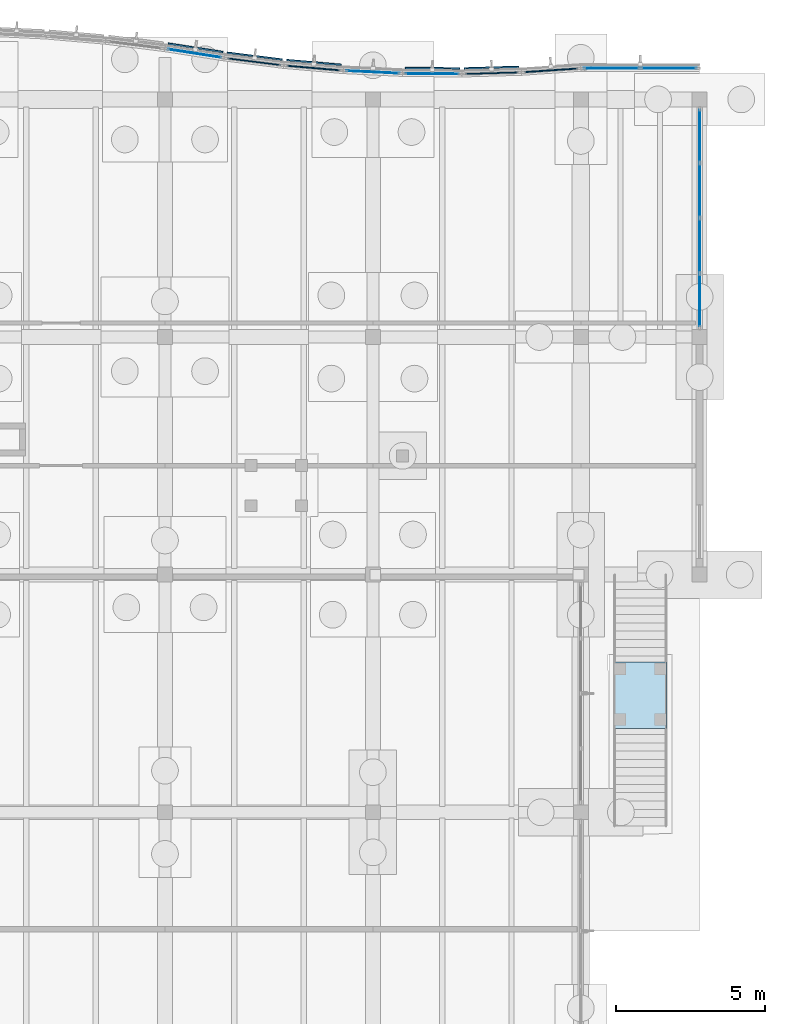
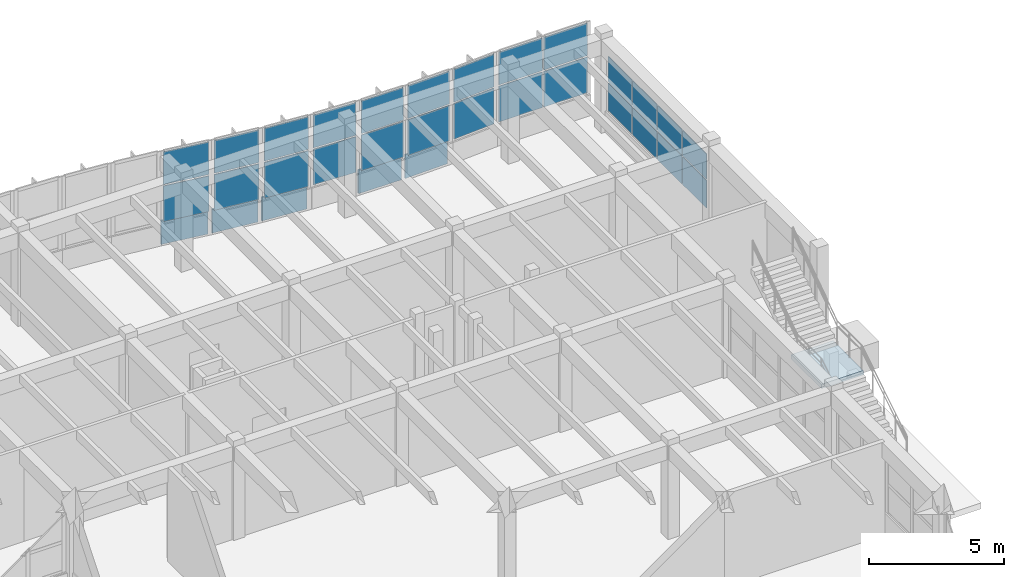
# One storey, part 60 of 99: 31 plates, 1 slab, 10 elements without a shape of their own.
"""IFC4 building model written with IfcOpenShell, lengths in metres."""

from ifc_helpers import new_model, si_unit, direction, frame, origin, origin_2d, place, context, subcontext, project, spatial, polyline, rectangle, outline, extrude, material, layer, layer_set, type_object, element, aggregate, save


model = new_model("IFC4")

# Units and contexts
model_context = context("Model", 3, precision=1e-05, world=origin(), true_north=direction((0.0, 1.0)))
body_context = subcontext(model_context, "Body", "Model", "MODEL_VIEW")
ifc_project = project(units=[si_unit("LENGTHUNIT", "METRE"), si_unit("AREAUNIT", "SQUARE_METRE"), si_unit("VOLUMEUNIT", "CUBIC_METRE"), si_unit("PLANEANGLEUNIT", "RADIAN"), si_unit("MASSUNIT", "GRAM", prefix="KILO")], contexts=[model_context])

# Site, building, storey
site_placement = place(None, origin())
site = spatial("IfcSite", under=ifc_project, at=site_placement, CompositionType="ELEMENT")
building_placement = place(site_placement, origin())
building = spatial("IfcBuilding", under=site, at=building_placement, Name="Tonlespit Floodbar School", CompositionType="ELEMENT")
storey_placement = place(building_placement, origin())
storey = spatial("IfcBuildingStorey", under=building, at=storey_placement, Name="L00", CompositionType="ELEMENT", Elevation=0.0)

# Curtain wall, plates
ifc_material_1 = material(Name="Anodised Aluminium", Category="aluminium")
ifc_layer_1 = layer(ifc_material_1, 0.159912109375)
ifc_layer_set_1 = layer_set([ifc_layer_1], Name="Anodised Aluminium")
curtain_wall_type_1 = type_object("IfcCurtainWallType", Name="CurtainWall_1900x3300", PredefinedType="NOTDEFINED", material=ifc_layer_set_1)
curtain_wall_1_placement = place(storey_placement, origin())
curtain_wall_1 = element("IfcCurtainWall", 1, at=curtain_wall_1_placement, inside=storey, type_object=curtain_wall_type_1, Name="L00 unitised curtain wall 0365", PredefinedType="NOTDEFINED")
ifc_material_2 = material(Name="Laminated Low-E Glass", Category="glass")
ifc_layer_2 = layer(ifc_material_2, 0.028076171875)
ifc_layer_set_2 = layer_set([ifc_layer_2], Name="Laminated Low-E Glass")
plate_type_1 = type_object("IfcPlateType", Name="CW_Panel_Glaz_28", PredefinedType="CURTAIN_PANEL", material=ifc_layer_set_2)
plate_1_placement = place(storey_placement, frame((169.0, 120.92041015625, 1.014892578125), z_axis=(0.0, 0.0, 1.0), x_axis=(0.998841500616, -0.048121270216, 0.0)))
plate_1 = element("IfcPlate", 2, at=plate_1_placement, type_object=plate_type_1, Name="CW-02 panel 1.1", PredefinedType="CURTAIN_PANEL", context=body_context, shape_type="SweptSolid", body=[
    extrude(rectangle(XDim=1.792236328125, YDim=0.028076171875, at=origin_2d()), origin(), (0.0, 0.0, 1.0), 1.61328125),
])
plate_2_placement = place(storey_placement, frame((169.0, 120.92041015625, 2.693359375), z_axis=(0.0, 0.0, 1.0), x_axis=(0.998841500616, -0.048121270216, 0.0)))
plate_2 = element("IfcPlate", 3, at=plate_2_placement, type_object=plate_type_1, Name="CW-02 panel 1.2", PredefinedType="CURTAIN_PANEL", context=body_context, shape_type="SweptSolid", body=[
    extrude(rectangle(XDim=1.792236328125, YDim=0.028076171875, at=origin_2d()), origin(), (0.0, 0.0, 1.0), 1.481689453125),
])
aggregate(curtain_wall_1, [plate_1, plate_2])

ifc_layer_3 = layer(ifc_material_1, 0.159912109375)
ifc_layer_set_3 = layer_set([ifc_layer_3], Name="Anodised Aluminium")
curtain_wall_type_2 = type_object("IfcCurtainWallType", Name="CurtainWall_3900x3300", PredefinedType="NOTDEFINED", material=ifc_layer_set_3)
curtain_wall_2_placement = place(storey_placement, origin())
curtain_wall_2 = element("IfcCurtainWall", 4, at=curtain_wall_2_placement, inside=storey, type_object=curtain_wall_type_2, Name="L00 unitised curtain wall 0369", PredefinedType="NOTDEFINED")
plate_3_placement = place(storey_placement, frame((177.0361328125, 121.045654296875, 1.014892578125), z_axis=(0.0, 0.0, 1.0), x_axis=(1.0, 0.0, 0.0)))
plate_3 = element("IfcPlate", 5, at=plate_3_placement, type_object=plate_type_1, Name="CW-58 panel 1.1", PredefinedType="CURTAIN_PANEL", context=body_context, shape_type="SweptSolid", body=[
    extrude(rectangle(XDim=1.862548828125, YDim=0.028076171875, at=origin_2d()), origin(), (0.0, 0.0, 1.0), 1.61328125),
])
plate_4_placement = place(storey_placement, frame((177.0361328125, 121.045654296875, 2.693359375), z_axis=(0.0, 0.0, 1.0), x_axis=(1.0, 0.0, 0.0)))
plate_4 = element("IfcPlate", 6, at=plate_4_placement, type_object=plate_type_1, Name="CW-58 panel 1.2", PredefinedType="CURTAIN_PANEL", context=body_context, shape_type="SweptSolid", body=[
    extrude(rectangle(XDim=1.862548828125, YDim=0.028076171875, at=origin_2d()), origin(), (0.0, 0.0, 1.0), 1.481689453125),
])
plate_5_placement = place(storey_placement, frame((178.9638671875, 121.045654296875, 1.014892578125), z_axis=(0.0, 0.0, 1.0), x_axis=(1.0, 0.0, 0.0)))
plate_5 = element("IfcPlate", 7, at=plate_5_placement, type_object=plate_type_1, Name="CW-58 panel 2.1", PredefinedType="CURTAIN_PANEL", context=body_context, shape_type="SweptSolid", body=[
    extrude(rectangle(XDim=1.862548828125, YDim=0.028076171875, at=origin_2d()), origin(), (0.0, 0.0, 1.0), 1.61328125),
])
plate_6_placement = place(storey_placement, frame((178.9638671875, 121.045654296875, 2.693359375), z_axis=(0.0, 0.0, 1.0), x_axis=(1.0, 0.0, 0.0)))
plate_6 = element("IfcPlate", 8, at=plate_6_placement, type_object=plate_type_1, Name="CW-58 panel 2.2", PredefinedType="CURTAIN_PANEL", context=body_context, shape_type="SweptSolid", body=[
    extrude(rectangle(XDim=1.862548828125, YDim=0.028076171875, at=origin_2d()), origin(), (0.0, 0.0, 1.0), 1.481689453125),
])
aggregate(curtain_wall_2, [plate_3, plate_4, plate_5, plate_6])

ifc_layer_4 = layer(ifc_material_1, 0.159912109375)
ifc_layer_set_4 = layer_set([ifc_layer_4], Name="Anodised Aluminium")
curtain_wall_type_3 = type_object("IfcCurtainWallType", Name="CurtainWall_1950x3300", PredefinedType="NOTDEFINED", material=ifc_layer_set_4)
curtain_wall_3_placement = place(storey_placement, origin())
curtain_wall_3 = element("IfcCurtainWall", 9, at=curtain_wall_3_placement, inside=storey, type_object=curtain_wall_type_3, Name="L00 unitised curtain wall 0362", PredefinedType="NOTDEFINED")
ifc_layer_5 = layer(ifc_material_2, 0.031982421875)
ifc_layer_set_5 = layer_set([ifc_layer_5], Name="Laminated Low-E Glass")
plate_type_2 = type_object("IfcPlateType", Name="CW_Panel_Glaz_32", PredefinedType="CURTAIN_PANEL", material=ifc_layer_set_5)
plate_7_placement = place(storey_placement, frame((163.0, 121.550048828125, 1.014892578125), z_axis=(0.0, 0.0, 1.0), x_axis=(0.988102576465, -0.153796288585, 0.0)))
plate_7 = element("IfcPlate", 10, at=plate_7_placement, type_object=plate_type_2, Name="CW-01 panel 1.1", PredefinedType="CURTAIN_PANEL", context=body_context, shape_type="SweptSolid", body=[
    extrude(rectangle(XDim=1.814208984375, YDim=0.031982421875, at=origin_2d()), origin(), (0.0, 0.0, 1.0), 1.61328125),
])
plate_8_placement = place(storey_placement, frame((163.0, 121.550048828125, 2.693359375), z_axis=(0.0, 0.0, 1.0), x_axis=(0.988102576465, -0.153796288585, 0.0)))
plate_8 = element("IfcPlate", 11, at=plate_8_placement, type_object=plate_type_2, Name="CW-01 panel 1.2", PredefinedType="CURTAIN_PANEL", context=body_context, shape_type="SweptSolid", body=[
    extrude(rectangle(XDim=1.814208984375, YDim=0.031982421875, at=origin_2d()), origin(), (0.0, 0.0, 1.0), 1.481689453125),
])
aggregate(curtain_wall_3, [plate_7, plate_8])

curtain_wall_4_placement = place(storey_placement, origin())
curtain_wall_4 = element("IfcCurtainWall", 12, at=curtain_wall_4_placement, inside=storey, type_object=curtain_wall_type_1, Name="L00 unitised curtain wall 0366", PredefinedType="NOTDEFINED")
plate_9_placement = place(storey_placement, frame((171.0, 120.862548828125, 1.014892578125), z_axis=(0.0, 0.0, 1.0), x_axis=(0.999954083024, -0.009582893292, 0.0)))
plate_9 = element("IfcPlate", 13, at=plate_9_placement, type_object=plate_type_2, Name="CW-02 panel 1.1", PredefinedType="CURTAIN_PANEL", context=body_context, shape_type="SweptSolid", body=[
    extrude(rectangle(XDim=1.7900390625, YDim=0.031982421875, at=origin_2d()), origin(), (0.0, 0.0, 1.0), 1.61328125),
])
plate_10_placement = place(storey_placement, frame((171.0, 120.862548828125, 2.693359375), z_axis=(0.0, 0.0, 1.0), x_axis=(0.999954083024, -0.009582893292, 0.0)))
plate_10 = element("IfcPlate", 14, at=plate_10_placement, type_object=plate_type_2, Name="CW-02 panel 1.2", PredefinedType="CURTAIN_PANEL", context=body_context, shape_type="SweptSolid", body=[
    extrude(rectangle(XDim=1.7900390625, YDim=0.031982421875, at=origin_2d()), origin(), (0.0, 0.0, 1.0), 1.481689453125),
])
aggregate(curtain_wall_4, [plate_9, plate_10])

ifc_layer_6 = layer(ifc_material_1, 0.159912109375)
ifc_layer_set_6 = layer_set([ifc_layer_6], Name="Anodised Aluminium")
curtain_wall_type_4 = type_object("IfcCurtainWallType", Name="CurtainWall_7400x2600", PredefinedType="NOTDEFINED", material=ifc_layer_set_6)
curtain_wall_5_placement = place(storey_placement, origin())
curtain_wall_5 = element("IfcCurtainWall", 15, at=curtain_wall_5_placement, inside=storey, type_object=curtain_wall_type_4, Name="L00 unitised curtain wall 0370", PredefinedType="NOTDEFINED")
plate_11_placement = place(storey_placement, frame((180.0, 118.766357421875, 1.01513671875), z_axis=(0.0, 0.0, 1.0), x_axis=(0.0, -1.0, 0.0)))
plate_11 = element("IfcPlate", 16, at=plate_11_placement, type_object=plate_type_2, Name="CW-52 panel 1.1", PredefinedType="CURTAIN_PANEL", context=body_context, shape_type="SweptSolid", body=[
    extrude(rectangle(XDim=1.757568359375, YDim=0.031982421875, at=origin_2d()), origin(), (0.0, 0.0, 1.0), 1.249267578125),
])
plate_12_placement = place(storey_placement, frame((180.0, 118.766357421875, 2.3291015625), z_axis=(0.0, 0.0, 1.0), x_axis=(0.0, -1.0, 0.0)))
plate_12 = element("IfcPlate", 17, at=plate_12_placement, type_object=plate_type_2, Name="CW-52 panel 1.2", PredefinedType="CURTAIN_PANEL", context=body_context, shape_type="SweptSolid", body=[
    extrude(rectangle(XDim=1.757568359375, YDim=0.031982421875, at=origin_2d()), origin(), (0.0, 0.0, 1.0), 1.145751953125),
])
plate_13_placement = place(storey_placement, frame((180.0, 116.927490234375, 1.01513671875), z_axis=(0.0, 0.0, 1.0), x_axis=(0.0, -1.0, 0.0)))
plate_13 = element("IfcPlate", 18, at=plate_13_placement, type_object=plate_type_2, Name="CW-52 panel 2.1", PredefinedType="CURTAIN_PANEL", context=body_context, shape_type="SweptSolid", body=[
    extrude(rectangle(XDim=1.7900390625, YDim=0.031982421875, at=origin_2d()), origin(), (0.0, 0.0, 1.0), 1.249267578125),
])
plate_14_placement = place(storey_placement, frame((180.0, 116.927490234375, 2.3291015625), z_axis=(0.0, 0.0, 1.0), x_axis=(0.0, -1.0, 0.0)))
plate_14 = element("IfcPlate", 19, at=plate_14_placement, type_object=plate_type_2, Name="CW-52 panel 2.2", PredefinedType="CURTAIN_PANEL", context=body_context, shape_type="SweptSolid", body=[
    extrude(rectangle(XDim=1.7900390625, YDim=0.031982421875, at=origin_2d()), origin(), (0.0, 0.0, 1.0), 1.145751953125),
])
plate_15_placement = place(storey_placement, frame((180.0, 115.072509765625, 1.01513671875), z_axis=(0.0, 0.0, 1.0), x_axis=(0.0, -1.0, 0.0)))
plate_15 = element("IfcPlate", 20, at=plate_15_placement, type_object=plate_type_2, Name="CW-52 panel 3.1", PredefinedType="CURTAIN_PANEL", context=body_context, shape_type="SweptSolid", body=[
    extrude(rectangle(XDim=1.7900390625, YDim=0.031982421875, at=origin_2d()), origin(), (0.0, 0.0, 1.0), 1.249267578125),
])
plate_16_placement = place(storey_placement, frame((180.0, 115.072509765625, 2.3291015625), z_axis=(0.0, 0.0, 1.0), x_axis=(0.0, -1.0, 0.0)))
plate_16 = element("IfcPlate", 21, at=plate_16_placement, type_object=plate_type_2, Name="CW-52 panel 3.2", PredefinedType="CURTAIN_PANEL", context=body_context, shape_type="SweptSolid", body=[
    extrude(rectangle(XDim=1.7900390625, YDim=0.031982421875, at=origin_2d()), origin(), (0.0, 0.0, 1.0), 1.145751953125),
])
plate_17_placement = place(storey_placement, frame((180.0, 113.233642578125, 1.01513671875), z_axis=(0.0, 0.0, 1.0), x_axis=(0.0, -1.0, 0.0)))
plate_17 = element("IfcPlate", 22, at=plate_17_placement, type_object=plate_type_2, Name="CW-52 panel 4.1", PredefinedType="CURTAIN_PANEL", context=body_context, shape_type="SweptSolid", body=[
    extrude(rectangle(XDim=1.757568359375, YDim=0.031982421875, at=origin_2d()), origin(), (0.0, 0.0, 1.0), 1.249267578125),
])
plate_18_placement = place(storey_placement, frame((180.0, 113.233642578125, 2.3291015625), z_axis=(0.0, 0.0, 1.0), x_axis=(0.0, -1.0, 0.0)))
plate_18 = element("IfcPlate", 23, at=plate_18_placement, type_object=plate_type_2, Name="CW-52 panel 4.2", PredefinedType="CURTAIN_PANEL", context=body_context, shape_type="SweptSolid", body=[
    extrude(rectangle(XDim=1.757568359375, YDim=0.031982421875, at=origin_2d()), origin(), (0.0, 0.0, 1.0), 1.145751953125),
])
aggregate(curtain_wall_5, [plate_11, plate_12, plate_13, plate_14, plate_15, plate_16, plate_17, plate_18])

curtain_wall_6_placement = place(storey_placement, origin())
curtain_wall_6 = element("IfcCurtainWall", 24, at=curtain_wall_6_placement, inside=storey, type_object=curtain_wall_type_3, Name="L00 unitised curtain wall 0363", PredefinedType="NOTDEFINED")
ifc_layer_7 = layer(ifc_material_2, 0.035888671875)
ifc_layer_set_7 = layer_set([ifc_layer_7], Name="Laminated Low-E Glass")
plate_type_3 = type_object("IfcPlateType", Name="CW_Panel_Glaz_36", PredefinedType="CURTAIN_PANEL", material=ifc_layer_set_7)
plate_19_placement = place(storey_placement, frame((165.0, 121.268310546875, 1.014892578125), z_axis=(0.0, 0.0, 1.0), x_axis=(0.992155002499, -0.125013803299, 0.0)))
plate_19 = element("IfcPlate", 25, at=plate_19_placement, type_object=plate_type_3, Name="CW-01 panel 1.1", PredefinedType="CURTAIN_PANEL", context=body_context, shape_type="SweptSolid", body=[
    extrude(rectangle(XDim=1.805908203125, YDim=0.035888671875, at=origin_2d()), origin(), (0.0, 0.0, 1.0), 1.61328125),
])
plate_20_placement = place(storey_placement, frame((165.0, 121.268310546875, 2.693359375), z_axis=(0.0, 0.0, 1.0), x_axis=(0.992155002499, -0.125013803299, 0.0)))
plate_20 = element("IfcPlate", 26, at=plate_20_placement, type_object=plate_type_3, Name="CW-01 panel 1.2", PredefinedType="CURTAIN_PANEL", context=body_context, shape_type="SweptSolid", body=[
    extrude(rectangle(XDim=1.805908203125, YDim=0.035888671875, at=origin_2d()), origin(), (0.0, 0.0, 1.0), 1.481689453125),
])
aggregate(curtain_wall_6, [plate_19, plate_20])

curtain_wall_7_placement = place(storey_placement, origin())
curtain_wall_7 = element("IfcCurtainWall", 27, at=curtain_wall_7_placement, inside=storey, type_object=curtain_wall_type_1, Name="L00 unitised curtain wall 0367", PredefinedType="NOTDEFINED")
plate_21_placement = place(storey_placement, frame((173.0, 120.8818359375, 1.014892578125), z_axis=(0.0, 0.0, 1.0), x_axis=(0.999585477883, 0.028790144226, 0.0)))
plate_21 = element("IfcPlate", 28, at=plate_21_placement, type_object=plate_type_3, Name="CW-02 panel 1.1", PredefinedType="CURTAIN_PANEL", context=body_context, shape_type="SweptSolid", body=[
    extrude(rectangle(XDim=1.790771484375, YDim=0.035888671875, at=origin_2d()), origin(), (0.0, 0.0, 1.0), 1.61328125),
])
plate_22_placement = place(storey_placement, frame((173.0, 120.8818359375, 2.693359375), z_axis=(0.0, 0.0, 1.0), x_axis=(0.999585477883, 0.028790144226, 0.0)))
plate_22 = element("IfcPlate", 29, at=plate_22_placement, type_object=plate_type_3, Name="CW-02 panel 1.2", PredefinedType="CURTAIN_PANEL", context=body_context, shape_type="SweptSolid", body=[
    extrude(rectangle(XDim=1.790771484375, YDim=0.035888671875, at=origin_2d()), origin(), (0.0, 0.0, 1.0), 1.481689453125),
])
aggregate(curtain_wall_7, [plate_21, plate_22])

curtain_wall_8_placement = place(storey_placement, origin())
curtain_wall_8 = element("IfcCurtainWall", 30, at=curtain_wall_8_placement, inside=storey, type_object=curtain_wall_type_3, Name="L00 unitised curtain wall 0364", PredefinedType="NOTDEFINED")
ifc_layer_8 = layer(ifc_material_2, 0.0419921875)
ifc_layer_set_8 = layer_set([ifc_layer_8], Name="Laminated Low-E Glass")
plate_type_4 = type_object("IfcPlateType", Name="CW_Panel_Glaz_42", PredefinedType="CURTAIN_PANEL", material=ifc_layer_set_8)
plate_23_placement = place(storey_placement, frame((167.0, 121.055419921875, 1.014892578125), z_axis=(0.0, 0.0, 1.0), x_axis=(0.996249148412, -0.086531117454, 0.0)))
plate_23 = element("IfcPlate", 31, at=plate_23_placement, type_object=plate_type_4, Name="CW-01 panel 1.1", PredefinedType="CURTAIN_PANEL", context=body_context, shape_type="SweptSolid", body=[
    extrude(rectangle(XDim=1.797607421875, YDim=0.0419921875, at=origin_2d()), origin(), (0.0, 0.0, 1.0), 1.61328125),
])
plate_24_placement = place(storey_placement, frame((167.0, 121.055419921875, 2.693359375), z_axis=(0.0, 0.0, 1.0), x_axis=(0.996249148412, -0.086531117454, 0.0)))
plate_24 = element("IfcPlate", 32, at=plate_24_placement, type_object=plate_type_4, Name="CW-01 panel 1.2", PredefinedType="CURTAIN_PANEL", context=body_context, shape_type="SweptSolid", body=[
    extrude(rectangle(XDim=1.797607421875, YDim=0.0419921875, at=origin_2d()), origin(), (0.0, 0.0, 1.0), 1.481689453125),
])
aggregate(curtain_wall_8, [plate_23, plate_24])

curtain_wall_9_placement = place(storey_placement, origin())
curtain_wall_9 = element("IfcCurtainWall", 33, at=curtain_wall_9_placement, inside=storey, type_object=curtain_wall_type_1, Name="L00 unitised curtain wall 0368", PredefinedType="NOTDEFINED")
plate_25_placement = place(storey_placement, frame((175.0, 120.978271484375, 1.014892578125), z_axis=(0.0, 0.0, 1.0), x_axis=(0.99773010165, 0.067339767311, 0.0)))
plate_25 = element("IfcPlate", 34, at=plate_25_placement, type_object=plate_type_4, Name="CW-02 panel 1.1", PredefinedType="CURTAIN_PANEL", context=body_context, shape_type="SweptSolid", body=[
    extrude(rectangle(XDim=1.794677734375, YDim=0.0419921875, at=origin_2d()), origin(), (0.0, 0.0, 1.0), 1.61328125),
])
plate_26_placement = place(storey_placement, frame((175.0, 120.978271484375, 2.693359375), z_axis=(0.0, 0.0, 1.0), x_axis=(0.99773010165, 0.067339767311, 0.0)))
plate_26 = element("IfcPlate", 35, at=plate_26_placement, type_object=plate_type_4, Name="CW-02 panel 1.2", PredefinedType="CURTAIN_PANEL", context=body_context, shape_type="SweptSolid", body=[
    extrude(rectangle(XDim=1.794677734375, YDim=0.0419921875, at=origin_2d()), origin(), (0.0, 0.0, 1.0), 1.481689453125),
])
aggregate(curtain_wall_9, [plate_25, plate_26])

# Plates
ifc_material_3 = material(Name="White Architectural Aluminium", Category="aluminium")
ifc_layer_9 = layer(ifc_material_3, 0.06494140625)
ifc_layer_set_9 = layer_set([ifc_layer_9], Name="White Architectural Aluminium")
plate_type_5 = type_object("IfcPlateType", Name="FacadeRibbon_White_65", PredefinedType="SHEET", material=ifc_layer_set_9)
plate_27_placement = place(storey_placement, frame((163.028076171875, 121.729736328125, -0.1201171875), z_axis=(0.0, 0.0, 1.0), x_axis=(0.988094768361, -0.153846445322, 0.0)))
element("IfcPlate", 36, at=plate_27_placement, inside=storey, type_object=plate_type_5, Name="L00 flowing white street spandrel ribbon 0612", PredefinedType="SHEET", context=body_context, shape_type="SweptSolid", body=[
    extrude(rectangle(XDim=1.864013671875, YDim=0.06494140625, at=origin_2d()), origin(), (0.0, 0.0, 1.0), 1.070068359375),
])
plate_28_placement = place(storey_placement, frame((165.022705078125, 121.448974609375, -0.1201171875), z_axis=(0.0, 0.0, 1.0), x_axis=(0.99215533612, -0.125011155539, 0.0)))
element("IfcPlate", 37, at=plate_28_placement, inside=storey, type_object=plate_type_5, Name="L00 flowing white street spandrel ribbon 0613", PredefinedType="SHEET", context=body_context, shape_type="SweptSolid", body=[
    extrude(rectangle(XDim=1.855712890625, YDim=0.06494140625, at=origin_2d()), origin(), (0.0, 0.0, 1.0), 1.070068359375),
])
plate_29_placement = place(storey_placement, frame((167.015869140625, 121.23681640625, -0.1201171875), z_axis=(0.0, 0.0, 1.0), x_axis=(0.996245486492, -0.086573267488, 0.0)))
element("IfcPlate", 38, at=plate_29_placement, inside=storey, type_object=plate_type_5, Name="L00 flowing white street spandrel ribbon 0614", PredefinedType="SHEET", context=body_context, shape_type="SweptSolid", body=[
    extrude(rectangle(XDim=1.847412109375, YDim=0.06494140625, at=origin_2d()), origin(), (0.0, 0.0, 1.0), 1.070068359375),
])
plate_30_placement = place(storey_placement, frame((171.001708984375, 121.044677734375, -0.1201171875), z_axis=(0.0, 0.0, 1.0), x_axis=(0.999953926969, -0.009599163462, 0.0)))
element("IfcPlate", 39, at=plate_30_placement, inside=storey, type_object=plate_type_5, Name="L00 flowing white street spandrel ribbon 0616", PredefinedType="SHEET", context=body_context, shape_type="SweptSolid", body=[
    extrude(rectangle(XDim=1.840087890625, YDim=0.06494140625, at=origin_2d()), origin(), (0.0, 0.0, 1.0), 1.070068359375),
])
plate_31_placement = place(storey_placement, frame((172.994873046875, 121.063720703125, -0.1201171875), z_axis=(0.0, 0.0, 1.0), x_axis=(0.999584110869, 0.02883756748, 0.0)))
element("IfcPlate", 40, at=plate_31_placement, inside=storey, type_object=plate_type_5, Name="L00 flowing white street spandrel ribbon 0617", PredefinedType="SHEET", context=body_context, shape_type="SweptSolid", body=[
    extrude(rectangle(XDim=1.8408203125, YDim=0.06494140625, at=origin_2d()), origin(), (0.0, 0.0, 1.0), 1.070068359375),
])

# Stair, slab
ifc_material_4 = material(Name="Glulam GL28h", Category="wood")
stair_type = type_object("IfcStairType", Name="Stair_Feature_1800", PredefinedType="STRAIGHT_RUN_STAIR", material=ifc_material_4)
stair_placement = place(storey_placement, origin())
stair = element("IfcStair", 41, at=stair_placement, inside=storey, type_object=stair_type, Name="L00 stair ST-L1", PredefinedType="STRAIGHT_RUN_STAIR")
ifc_material_5 = material(Name="White Architectural Precast concrete C40/50", Category="concrete")
ifc_layer_10 = layer(ifc_material_5, 0.199951171875)
ifc_layer_set_10 = layer_set([ifc_layer_10], Name="White Architectural Precast concrete C40/50")
slab_type = type_object("IfcSlabType", Name="Landing_Court_RC215", PredefinedType="LANDING", material=ifc_layer_set_10)
slab_placement = place(storey_placement, frame((0.0, 0.0, 2.050048828125)))
slab = element("IfcSlab", 42, at=slab_placement, type_object=slab_type, Name="ST-L1 landing 1", PredefinedType="LANDING", context=body_context, shape_type="SweptSolid", body=[
    extrude(outline(polyline([(178.89990234375, 98.820068359375), (178.89990234375, 101.06005859375), (177.10009765625, 101.06005859375), (177.10009765625, 98.820068359375), (178.89990234375, 98.820068359375)])), origin(), (0.0, 0.0, 1.0), 0.199951171875),
])
aggregate(stair, [slab])

save(model, "model.ifc")
